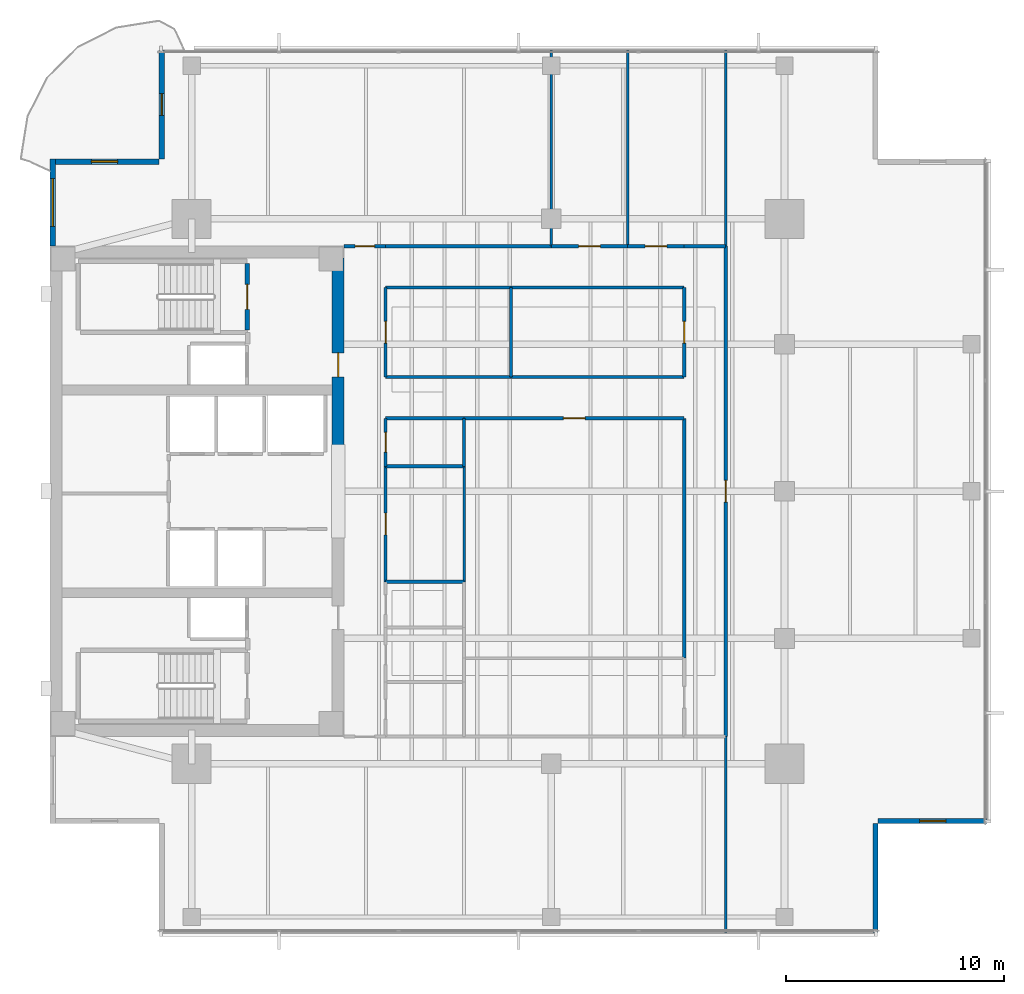
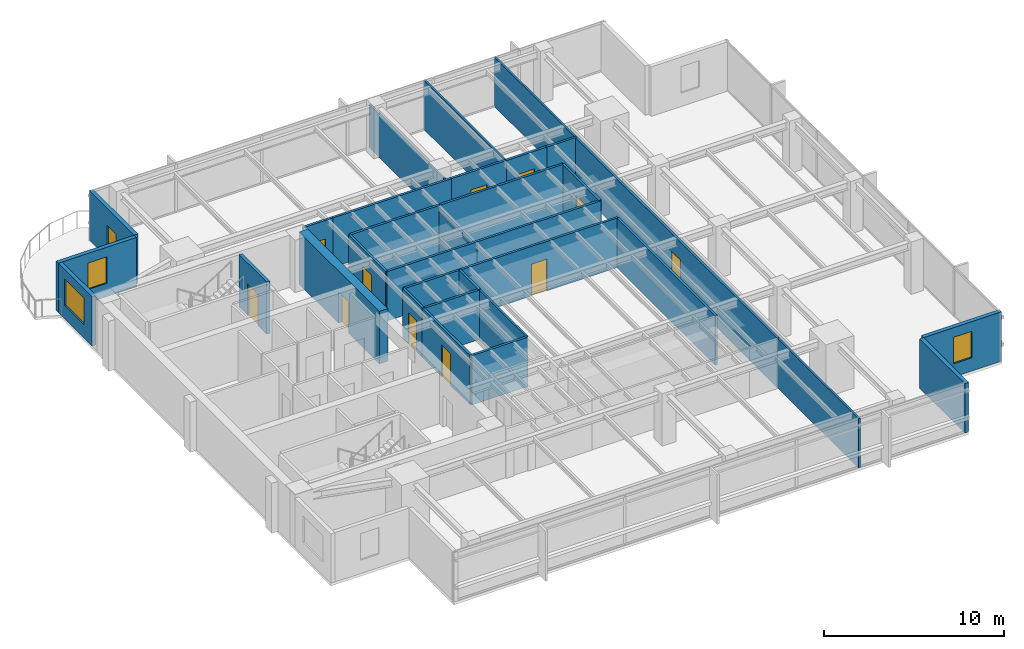
# One storey, part 9 of 15: 33 walls, 12 doors, 3 windows, 15 openings.
"""IFC4 building model written with IfcOpenShell, lengths in metres."""

from ifc_helpers import new_model, si_unit, direction, frame, frame_2d, origin, place, context, subcontext, project, spatial, rectangle, extrude, material, layer, layer_set, type_object, element, fill, save


model = new_model("IFC4")

# Units and contexts
model_context = context("Model", 3, precision=1e-05, world=origin(), true_north=direction((0.0, 1.0)))
body_context = subcontext(model_context, "Body", "Model", "MODEL_VIEW")
ifc_project = project(units=[si_unit("LENGTHUNIT", "METRE"), si_unit("AREAUNIT", "SQUARE_METRE"), si_unit("VOLUMEUNIT", "CUBIC_METRE"), si_unit("PLANEANGLEUNIT", "RADIAN"), si_unit("MASSUNIT", "GRAM", prefix="KILO")], contexts=[model_context])

# Site, building, storey
site_placement = place(None, origin())
site = spatial("IfcSite", under=ifc_project, at=site_placement, CompositionType="ELEMENT")
building_placement = place(site_placement, origin())
building = spatial("IfcBuilding", under=site, at=building_placement, Name="Kinhvarn Gate Tower", CompositionType="ELEMENT")
storey_placement = place(building_placement, frame((0.0, 0.0, 237.75)))
storey = spatial("IfcBuildingStorey", under=building, at=storey_placement, Name="L63", CompositionType="ELEMENT", Elevation=237.75)

# Wall, opening, door
ifc_material_1 = material(Name="Concrete C60/75", Category="concrete")
ifc_layer_1 = layer(ifc_material_1, 0.550048828125)
ifc_layer_set_1 = layer_set([ifc_layer_1], Name="Concrete C60/75")
wall_type_1 = type_object("IfcWallType", Name="WL-CORE-550", PredefinedType="SHEAR", material=ifc_layer_set_1)
wall_1_placement = place(storey_placement, frame((17.72509765625, 27.050048828125, 0.0), z_axis=(0.0, 0.0, 1.0), x_axis=(0.0, 1.0, 0.0)))
wall_1 = element("IfcWall", 1, at=wall_1_placement, inside=storey, type_object=wall_type_1, Name="Core East-North Shear Pier L63 550 mm", PredefinedType="SHEAR", context=body_context, shape_type="SweptSolid", body=[
    extrude(rectangle(XDim=8.89990234375, YDim=0.550048828125, at=frame_2d((4.449951171875, 0.0))), origin(), (0.0, 0.0, 1.0), 3.550048828125),
])
opening_1_placement = place(wall_1_placement, frame((3.449951171875, 0.0, 0.0)))
opening_1 = element("IfcOpeningElement", 2, at=opening_1_placement, cuts=wall_1, Name="Opening FD-02", PredefinedType="OPENING", context=body_context, shape_type="SweptSolid", body=[
    extrude(rectangle(XDim=1.10009765625, YDim=2.14990234375, at=frame_2d((0.550048828125, 1.074951171875))), frame((0.0, 0.28515625, 0.0), z_axis=(0.0, -1.0, 0.0), x_axis=(1.0, 0.0, 0.0)), (0.0, 0.0, 1.0), 0.570068359375),
])
ifc_material_2 = material(Name="Anodised aluminium AW-6063", Category="aluminium")
door_type_1 = type_object("IfcDoorType", Name="DR-FD-1100", OperationType="NOTDEFINED", PredefinedType="DOOR", material=ifc_material_2)
door_1_placement = place(opening_1_placement, origin())
door_1 = element("IfcDoor", 3, at=door_1_placement, inside=storey, type_object=door_type_1, Name="Firefighting Lobby Core Door (L63)", OperationType="SINGLE_SWING_LEFT", OverallHeight=2.14990234375, OverallWidth=1.10009765625, PredefinedType="DOOR", context=body_context, shape_type="SweptSolid", body=[
    extrude(rectangle(XDim=1.10009765625, YDim=2.14990234375, at=frame_2d((0.550048828125, 1.074951171875))), frame((0.0, 0.02490234375, 0.0), z_axis=(0.0, -1.0, 0.0), x_axis=(1.0, 0.0, 0.0)), (0.0, 0.0, 1.0), 0.050048828125),
])
fill(opening_1, door_1)

# Wall, opening, window
ifc_material_3 = material(Name="Fired architectural terracotta", Category="masonry")
ifc_layer_2 = layer(ifc_material_3, 0.25)
ifc_layer_set_2 = layer_set([ifc_layer_2], Name="Fired architectural terracotta")
wall_type_2 = type_object("IfcWallType", Name="WL-EXT-250", PredefinedType="SOLIDWALL", material=ifc_layer_set_2)
wall_2_placement = place(storey_placement, frame((4.625, 40.5, 0.0), z_axis=(0.0, 0.0, 1.0), x_axis=(0.0, -1.0, 0.0)))
wall_2 = element("IfcWall", 4, at=wall_2_placement, inside=storey, type_object=wall_type_2, Name="Exterior Solidwall Wall EW-250 (L63 West-North)", PredefinedType="SOLIDWALL", context=body_context, shape_type="SweptSolid", body=[
    extrude(rectangle(XDim=4.0, YDim=0.25, at=frame_2d((2.0, 0.0))), origin(), (0.0, 0.0, 1.0), 3.35009765625),
])
opening_2_placement = place(wall_2_placement, frame((0.89990234375, 0.0, 0.89990234375)))
opening_2 = element("IfcOpeningElement", 5, at=opening_2_placement, cuts=wall_2, Name="Opening WN-01", PredefinedType="OPENING", context=body_context, shape_type="SweptSolid", body=[
    extrude(rectangle(XDim=2.199951171875, YDim=1.800048828125, at=frame_2d((1.10009765625, 0.89990234375))), frame((0.0, 0.135009765625, 0.0), z_axis=(0.0, -1.0, 0.0), x_axis=(1.0, 0.0, 0.0)), (0.0, 0.0, 1.0), 0.27001953125),
])
ifc_material_4 = material(Name="Clear low-e double glazing", Category="glass")
window_type_1 = type_object("IfcWindowType", Name="WIN-RIB-2200", PartitioningType="SINGLE_PANEL", PredefinedType="WINDOW", material=ifc_material_4)
window_1_placement = place(opening_2_placement, origin())
window_1 = element("IfcWindow", 6, at=window_1_placement, inside=storey, type_object=window_type_1, Name="West Flank Double-Glazed Ribbon Window 2200x1800 mm (L63)", OverallHeight=1.800048828125, OverallWidth=2.199951171875, PartitioningType="SINGLE_PANEL", PredefinedType="WINDOW", context=body_context, shape_type="SweptSolid", body=[
    extrude(rectangle(XDim=2.199951171875, YDim=1.800048828125, at=frame_2d((1.10009765625, 0.89990234375))), frame((0.0, 0.030029296875, 0.0), z_axis=(0.0, -1.0, 0.0), x_axis=(1.0, 0.0, 0.0)), (0.0, 0.0, 1.0), 0.06005859375),
])
fill(opening_2, window_1)

# Wall
wall_3_placement = place(storey_placement, frame((42.375, 5.0, 0.0), z_axis=(0.0, 0.0, 1.0), x_axis=(0.0, 1.0, 0.0)))
element("IfcWall", 7, at=wall_3_placement, inside=storey, type_object=wall_type_2, Name="Exterior Solidwall Wall EW-250 (L63 SE-Notch-1)", PredefinedType="SOLIDWALL", context=body_context, shape_type="SweptSolid", body=[
    extrude(rectangle(XDim=5.0, YDim=0.25, at=frame_2d((2.5, 0.0))), origin(), (0.0, 0.0, 1.0), 3.35009765625),
])

# Wall, opening, window
wall_4_placement = place(storey_placement, frame((42.5, 10.125, 0.0), z_axis=(0.0, 0.0, 1.0), x_axis=(1.0, 0.0, 0.0)))
wall_4 = element("IfcWall", 8, at=wall_4_placement, inside=storey, type_object=wall_type_2, Name="Exterior Solidwall Wall EW-250 (L63 SE-Notch-2)", PredefinedType="SOLIDWALL", context=body_context, shape_type="SweptSolid", body=[
    extrude(rectangle(XDim=5.0, YDim=0.25, at=frame_2d((2.5, 0.0))), origin(), (0.0, 0.0, 1.0), 3.35009765625),
])
opening_3_placement = place(wall_4_placement, frame((1.89990234375, 0.0, 0.89990234375)))
opening_3 = element("IfcOpeningElement", 9, at=opening_3_placement, cuts=wall_4, Name="Opening WN-02", PredefinedType="OPENING", context=body_context, shape_type="SweptSolid", body=[
    extrude(rectangle(XDim=1.199951171875, YDim=1.800048828125, at=frame_2d((0.60009765625, 0.89990234375))), frame((0.0, 0.135009765625, 0.0), z_axis=(0.0, -1.0, 0.0), x_axis=(1.0, 0.0, 0.0)), (0.0, 0.0, 1.0), 0.27001953125),
])
window_type_2 = type_object("IfcWindowType", Name="WIN-NTC-1200", PartitioningType="SINGLE_PANEL", PredefinedType="WINDOW", material=ifc_material_4)
window_2_placement = place(opening_3_placement, origin())
window_2 = element("IfcWindow", 10, at=window_2_placement, inside=storey, type_object=window_type_2, Name="Recessed Corner Notch Punched Window 1200x1800 mm (L63)", OverallHeight=1.800048828125, OverallWidth=1.199951171875, PartitioningType="SINGLE_PANEL", PredefinedType="WINDOW", context=body_context, shape_type="SweptSolid", body=[
    extrude(rectangle(XDim=1.199951171875, YDim=1.800048828125, at=frame_2d((0.60009765625, 0.89990234375))), frame((0.0, 0.030029296875, 0.0), z_axis=(0.0, -1.0, 0.0), x_axis=(1.0, 0.0, 0.0)), (0.0, 0.0, 1.0), 0.06005859375),
])
fill(opening_3, window_2)

# Wall, opening, door
wall_5_placement = place(storey_placement, frame((9.625, 45.5, 0.0), z_axis=(0.0, 0.0, 1.0), x_axis=(0.0, -1.0, 0.0)))
wall_5 = element("IfcWall", 11, at=wall_5_placement, inside=storey, type_object=wall_type_2, Name="Exterior Solidwall Wall EW-250 (L63 NW-Notch-Door)", PredefinedType="SOLIDWALL", context=body_context, shape_type="SweptSolid", body=[
    extrude(rectangle(XDim=5.0, YDim=0.25, at=frame_2d((2.5, 0.0))), origin(), (0.0, 0.0, 1.0), 3.35009765625),
])
opening_4_placement = place(wall_5_placement, frame((2.0, 0.0, 0.0)))
opening_4 = element("IfcOpeningElement", 12, at=opening_4_placement, cuts=wall_5, Name="Opening BD-01", PredefinedType="OPENING", context=body_context, shape_type="SweptSolid", body=[
    extrude(rectangle(XDim=1.0, YDim=2.199951171875, at=frame_2d((0.5, 1.10009765625))), frame((0.0, 0.135009765625, 0.0), z_axis=(0.0, -1.0, 0.0), x_axis=(1.0, 0.0, 0.0)), (0.0, 0.0, 1.0), 0.27001953125),
])
door_type_2 = type_object("IfcDoorType", Name="DR-BAL-1000", OperationType="NOTDEFINED", PredefinedType="DOOR", material=ifc_material_4)
door_2_placement = place(opening_4_placement, frame((1.0, 0.0, 0.0), z_axis=(0.0, 0.0, 1.0), x_axis=(-1.0, 0.0, 0.0)))
door_2 = element("IfcDoor", 13, at=door_2_placement, inside=storey, type_object=door_type_2, Name="S-Carve Balcony Door BD-01 (L63)", OperationType="SINGLE_SWING_RIGHT", OverallHeight=2.199951171875, OverallWidth=1.0, PredefinedType="DOOR", context=body_context, shape_type="SweptSolid", body=[
    extrude(rectangle(XDim=1.0, YDim=2.199951171875, at=frame_2d((0.5, 1.10009765625))), frame((0.0, 0.02490234375, 0.0), z_axis=(0.0, -1.0, 0.0), x_axis=(1.0, 0.0, 0.0)), (0.0, 0.0, 1.0), 0.050048828125),
])
fill(opening_4, door_2)

# Wall, opening, window
wall_6_placement = place(storey_placement, frame((9.5, 40.375, 0.0), z_axis=(0.0, 0.0, 1.0), x_axis=(-1.0, 0.0, 0.0)))
wall_6 = element("IfcWall", 14, at=wall_6_placement, inside=storey, type_object=wall_type_2, Name="Exterior Solidwall Wall EW-250 (L63 NW-Notch-Win)", PredefinedType="SOLIDWALL", context=body_context, shape_type="SweptSolid", body=[
    extrude(rectangle(XDim=5.0, YDim=0.25, at=frame_2d((2.5, 0.0))), origin(), (0.0, 0.0, 1.0), 3.35009765625),
])
opening_5_placement = place(wall_6_placement, frame((1.89990234375, 0.0, 0.89990234375)))
opening_5 = element("IfcOpeningElement", 15, at=opening_5_placement, cuts=wall_6, Name="Opening WN-02", PredefinedType="OPENING", context=body_context, shape_type="SweptSolid", body=[
    extrude(rectangle(XDim=1.199951171875, YDim=1.800048828125, at=frame_2d((0.60009765625, 0.89990234375))), frame((0.0, 0.135009765625, 0.0), z_axis=(0.0, -1.0, 0.0), x_axis=(1.0, 0.0, 0.0)), (0.0, 0.0, 1.0), 0.27001953125),
])
window_3_placement = place(opening_5_placement, origin())
window_3 = element("IfcWindow", 16, at=window_3_placement, inside=storey, type_object=window_type_2, Name="Recessed Corner Notch Punched Window 1200x1800 mm (L63)", OverallHeight=1.800048828125, OverallWidth=1.199951171875, PartitioningType="SINGLE_PANEL", PredefinedType="WINDOW", context=body_context, shape_type="SweptSolid", body=[
    extrude(rectangle(XDim=1.199951171875, YDim=1.800048828125, at=frame_2d((0.60009765625, 0.89990234375))), frame((0.0, 0.030029296875, 0.0), z_axis=(0.0, -1.0, 0.0), x_axis=(1.0, 0.0, 0.0)), (0.0, 0.0, 1.0), 0.06005859375),
])
fill(opening_5, window_3)

# Walls
ifc_material_5 = material(Name="Gypsum acoustic partition board")
ifc_layer_3 = layer(ifc_material_5, 0.14990234375)
ifc_layer_set_3 = layer_set([ifc_layer_3], Name="Gypsum acoustic partition board")
wall_type_3 = type_object("IfcWallType", Name="WL-PLM-150", PredefinedType="PLUMBINGWALL", material=ifc_layer_set_3)
for number, where, z_axis, x_axis, name in (
    (17, (19.89990234375, 21.10009765625, 0.0), (0.0, 0.0, 1.0), (1.0, 0.0, 0.0), "Interior Partition PLW-150 (L63)"),
    (18, (19.89990234375, 26.39990234375, 0.0), (0.0, 0.0, 1.0), (1.0, 0.0, 0.0), "Interior Partition PLW-150 (L63)"),
):
    element("IfcWall", number, at=place(storey_placement, frame(where, z_axis=z_axis, x_axis=x_axis)), inside=storey, type_object=wall_type_3, Name=name, PredefinedType="PLUMBINGWALL", context=body_context, shape_type="SweptSolid", body=[
        extrude(rectangle(XDim=3.60009765625, YDim=0.14990234375, at=frame_2d((1.800048828125, 0.0))), origin(), (0.0, 0.0, 1.0), 3.35009765625),
    ])
wall_7_placement = place(storey_placement, frame((23.5, 26.39990234375, 0.0), z_axis=(0.0, 0.0, 1.0), x_axis=(0.0, 1.0, 0.0)))
element("IfcWall", 19, at=wall_7_placement, inside=storey, type_object=wall_type_3, Name="Interior Partition PLW-150 (L63)", PredefinedType="PLUMBINGWALL", context=body_context, shape_type="SweptSolid", body=[
    extrude(rectangle(XDim=2.2001953125, YDim=0.14990234375, at=frame_2d((1.10009765625, 0.0))), origin(), (0.0, 0.0, 1.0), 3.35009765625),
])

# Wall, opening, door
ifc_layer_4 = layer(ifc_material_5, 0.14990234375)
ifc_layer_set_4 = layer_set([ifc_layer_4], Name="Gypsum acoustic partition board")
wall_type_4 = type_object("IfcWallType", Name="WL-PLM-150F", PredefinedType="PLUMBINGWALL", material=ifc_layer_set_4)
wall_8_placement = place(storey_placement, frame((19.89990234375, 26.39990234375, 0.0), z_axis=(0.0, 0.0, 1.0), x_axis=(0.0, 1.0, 0.0)))
wall_8 = element("IfcWall", 20, at=wall_8_placement, inside=storey, type_object=wall_type_4, Name="Interior Partition PLW-150F (L63)", PredefinedType="PLUMBINGWALL", context=body_context, shape_type="SweptSolid", body=[
    extrude(rectangle(XDim=2.2001953125, YDim=0.14990234375, at=frame_2d((1.10009765625, 0.0))), origin(), (0.0, 0.0, 1.0), 3.35009765625),
])
opening_6_placement = place(wall_8_placement, frame((0.64990234375, 0.0, 0.0)))
opening_6 = element("IfcOpeningElement", 21, at=opening_6_placement, cuts=wall_8, Name="Opening FD-04", PredefinedType="OPENING", context=body_context, shape_type="SweptSolid", body=[
    extrude(rectangle(XDim=0.89990234375, YDim=2.10009765625, at=frame_2d((0.449951171875, 1.050048828125))), frame((0.0, 0.0849609375, 0.0), z_axis=(0.0, -1.0, 0.0), x_axis=(1.0, 0.0, 0.0)), (0.0, 0.0, 1.0), 0.169921875),
])
door_type_3 = type_object("IfcDoorType", Name="DR-FD-900", OperationType="NOTDEFINED", PredefinedType="DOOR", material=ifc_material_2)
door_3_placement = place(opening_6_placement, origin())
door_3 = element("IfcDoor", 22, at=door_3_placement, inside=storey, type_object=door_type_3, Name="Rated Riser & Service Closet Fire Door 900x2100 mm (L63)", OperationType="SINGLE_SWING_RIGHT", OverallHeight=2.10009765625, OverallWidth=0.89990234375, PredefinedType="DOOR", context=body_context, shape_type="SweptSolid", body=[
    extrude(rectangle(XDim=0.89990234375, YDim=2.10009765625, at=frame_2d((0.449951171875, 1.050048828125))), frame((0.0, 0.02490234375, 0.0), z_axis=(0.0, -1.0, 0.0), x_axis=(1.0, 0.0, 0.0)), (0.0, 0.0, 1.0), 0.050048828125),
])
fill(opening_6, door_3)

# Walls
wall_9_placement = place(storey_placement, frame((19.89990234375, 28.60009765625, 0.0), z_axis=(0.0, 0.0, 1.0), x_axis=(1.0, 0.0, 0.0)))
element("IfcWall", 23, at=wall_9_placement, inside=storey, type_object=wall_type_4, Name="Interior Partition PLW-150F (L63)", PredefinedType="PLUMBINGWALL", context=body_context, shape_type="SweptSolid", body=[
    extrude(rectangle(XDim=3.60009765625, YDim=0.14990234375, at=frame_2d((1.800048828125, 0.0))), origin(), (0.0, 0.0, 1.0), 3.35009765625),
])
ifc_layer_5 = layer(ifc_material_5, 0.1201171875)
ifc_layer_set_5 = layer_set([ifc_layer_5], Name="Gypsum acoustic partition board")
wall_type_5 = type_object("IfcWallType", Name="WL-PRT-120", PredefinedType="PARTITIONING", material=ifc_layer_set_5)
wall_10_placement = place(storey_placement, frame((25.64990234375, 30.5, 0.0), z_axis=(0.0, 0.0, 1.0), x_axis=(0.0, 1.0, 0.0)))
element("IfcWall", 24, at=wall_10_placement, inside=storey, type_object=wall_type_5, Name="Interior Partition PW-120 (L63)", PredefinedType="PARTITIONING", context=body_context, shape_type="SweptSolid", body=[
    extrude(rectangle(XDim=4.10009765625, YDim=0.1201171875, at=frame_2d((2.050048828125, 0.0))), origin(), (0.0, 0.0, 1.0), 3.050048828125),
])
wall_11_placement = place(storey_placement, frame((23.5, 21.10009765625, 0.0), z_axis=(0.0, 0.0, 1.0), x_axis=(0.0, 1.0, 0.0)))
element("IfcWall", 25, at=wall_11_placement, inside=storey, type_object=wall_type_5, Name="Interior Partition PW-120 (L63)", PredefinedType="PARTITIONING", context=body_context, shape_type="SweptSolid", body=[
    extrude(rectangle(XDim=5.2998046875, YDim=0.1201171875, at=frame_2d((2.64990234375, 0.0))), origin(), (0.0, 0.0, 1.0), 3.35009765625),
])
wall_12_placement = place(storey_placement, frame((35.5, 5.010009765625, 0.0), z_axis=(0.0, 0.0, 1.0), x_axis=(0.0, 1.0, 0.0)))
element("IfcWall", 26, at=wall_12_placement, inside=storey, type_object=wall_type_5, Name="Interior Partition PW-120 (L63)", PredefinedType="PARTITIONING", context=body_context, shape_type="SweptSolid", body=[
    extrude(rectangle(XDim=8.989990234375, YDim=0.1201171875, at=frame_2d((4.4951171875, 0.0))), origin(), (0.0, 0.0, 1.0), 3.35009765625),
])
wall_13_placement = place(storey_placement, frame((27.5, 36.5, 0.0), z_axis=(0.0, 0.0, 1.0), x_axis=(0.0, 1.0, 0.0)))
element("IfcWall", 27, at=wall_13_placement, inside=storey, type_object=wall_type_5, Name="Interior Partition PW-120 (L63)", PredefinedType="PARTITIONING", context=body_context, shape_type="SweptSolid", body=[
    extrude(rectangle(XDim=8.989990234375, YDim=0.1201171875, at=frame_2d((4.4951171875, 0.0))), origin(), (0.0, 0.0, 1.0), 2.89990234375),
])
for number, where, z_axis, x_axis, name in (
    (28, (31.0, 36.5, 0.0), (0.0, 0.0, 1.0), (0.0, 1.0, 0.0), "Interior Partition PW-120 (L63)"),
    (29, (35.5, 36.5, 0.0), (0.0, 0.0, 1.0), (0.0, 1.0, 0.0), "Interior Partition PW-120 (L63)"),
):
    element("IfcWall", number, at=place(storey_placement, frame(where, z_axis=z_axis, x_axis=x_axis)), inside=storey, type_object=wall_type_5, Name=name, PredefinedType="PARTITIONING", context=body_context, shape_type="SweptSolid", body=[
        extrude(rectangle(XDim=8.989990234375, YDim=0.1201171875, at=frame_2d((4.4951171875, 0.0))), origin(), (0.0, 0.0, 1.0), 3.35009765625),
    ])

# Wall, opening, door
ifc_layer_6 = layer(ifc_material_5, 0.14990234375)
ifc_layer_set_6 = layer_set([ifc_layer_6], Name="Gypsum acoustic partition board")
wall_type_6 = type_object("IfcWallType", Name="WL-PRT-150F", PredefinedType="PARTITIONING", material=ifc_layer_set_6)
wall_14_placement = place(storey_placement, frame((19.89990234375, 30.5, 0.0), z_axis=(0.0, 0.0, 1.0), x_axis=(0.0, 1.0, 0.0)))
wall_14 = element("IfcWall", 30, at=wall_14_placement, inside=storey, type_object=wall_type_6, Name="Interior Partition PW-150F (L63)", PredefinedType="PARTITIONING", context=body_context, shape_type="SweptSolid", body=[
    extrude(rectangle(XDim=4.10009765625, YDim=0.14990234375, at=frame_2d((2.050048828125, 0.0))), origin(), (0.0, 0.0, 1.0), 3.35009765625),
])
opening_7_placement = place(wall_14_placement, frame((1.550048828125, 0.0, 0.0)))
opening_7 = element("IfcOpeningElement", 31, at=opening_7_placement, cuts=wall_14, Name="Opening ID-02", PredefinedType="OPENING", context=body_context, shape_type="SweptSolid", body=[
    extrude(rectangle(XDim=1.0, YDim=2.14990234375, at=frame_2d((0.5, 1.074951171875))), frame((0.0, 0.0849609375, 0.0), z_axis=(0.0, -1.0, 0.0), x_axis=(1.0, 0.0, 0.0)), (0.0, 0.0, 1.0), 0.169921875),
])
door_type_4 = type_object("IfcDoorType", Name="DR-INT-1000", OperationType="NOTDEFINED", PredefinedType="DOOR", material=ifc_material_2)
door_4_placement = place(opening_7_placement, origin())
door_4 = element("IfcDoor", 32, at=door_4_placement, inside=storey, type_object=door_type_4, Name="Standard Office & Meeting Room Door 1000x2150 mm (L63)", OperationType="SINGLE_SWING_RIGHT", OverallHeight=2.14990234375, OverallWidth=1.0, PredefinedType="DOOR", context=body_context, shape_type="SweptSolid", body=[
    extrude(rectangle(XDim=1.0, YDim=2.14990234375, at=frame_2d((0.5, 1.074951171875))), frame((0.0, 0.02490234375, 0.0), z_axis=(0.0, -1.0, 0.0), x_axis=(1.0, 0.0, 0.0)), (0.0, 0.0, 1.0), 0.050048828125),
])
fill(opening_7, door_4)

wall_15_placement = place(storey_placement, frame((19.89990234375, 21.10009765625, 0.0), z_axis=(0.0, 0.0, 1.0), x_axis=(0.0, 1.0, 0.0)))
wall_15 = element("IfcWall", 33, at=wall_15_placement, inside=storey, type_object=wall_type_6, Name="Interior Partition PW-150F (L63)", PredefinedType="PARTITIONING", context=body_context, shape_type="SweptSolid", body=[
    extrude(rectangle(XDim=5.2998046875, YDim=0.14990234375, at=frame_2d((2.64990234375, 0.0))), origin(), (0.0, 0.0, 1.0), 3.35009765625),
])
opening_8_placement = place(wall_15_placement, frame((2.14990234375, 0.0, 0.0)))
opening_8 = element("IfcOpeningElement", 34, at=opening_8_placement, cuts=wall_15, Name="Opening ID-02", PredefinedType="OPENING", context=body_context, shape_type="SweptSolid", body=[
    extrude(rectangle(XDim=1.0, YDim=2.14990234375, at=frame_2d((0.5, 1.074951171875))), frame((0.0, 0.0849609375, 0.0), z_axis=(0.0, -1.0, 0.0), x_axis=(1.0, 0.0, 0.0)), (0.0, 0.0, 1.0), 0.169921875),
])
door_5_placement = place(opening_8_placement, origin())
door_5 = element("IfcDoor", 35, at=door_5_placement, inside=storey, type_object=door_type_4, Name="Standard Office & Meeting Room Door 1000x2150 mm (L63)", OperationType="SINGLE_SWING_LEFT", OverallHeight=2.14990234375, OverallWidth=1.0, PredefinedType="DOOR", context=body_context, shape_type="SweptSolid", body=[
    extrude(rectangle(XDim=1.0, YDim=2.14990234375, at=frame_2d((0.5, 1.074951171875))), frame((0.0, 0.02490234375, 0.0), z_axis=(0.0, -1.0, 0.0), x_axis=(1.0, 0.0, 0.0)), (0.0, 0.0, 1.0), 0.050048828125),
])
fill(opening_8, door_5)

wall_16_placement = place(storey_placement, frame((18.0, 36.5, 0.0), z_axis=(0.0, 0.0, 1.0), x_axis=(1.0, 0.0, 0.0)))
wall_16 = element("IfcWall", 36, at=wall_16_placement, inside=storey, type_object=wall_type_6, Name="Interior Partition PW-150F (L63)", PredefinedType="PARTITIONING", context=body_context, shape_type="SweptSolid", body=[
    extrude(rectangle(XDim=1.89990234375, YDim=0.14990234375, at=frame_2d((0.949951171875, 0.0))), origin(), (0.0, 0.0, 1.0), 3.35009765625),
])
opening_9_placement = place(wall_16_placement, frame((0.5, 0.0, 0.0)))
opening_9 = element("IfcOpeningElement", 37, at=opening_9_placement, cuts=wall_16, Name="Opening ID-03", PredefinedType="OPENING", context=body_context, shape_type="SweptSolid", body=[
    extrude(rectangle(XDim=0.89990234375, YDim=2.10009765625, at=frame_2d((0.449951171875, 1.050048828125))), frame((0.0, 0.0849609375, 0.0), z_axis=(0.0, -1.0, 0.0), x_axis=(1.0, 0.0, 0.0)), (0.0, 0.0, 1.0), 0.169921875),
])
door_type_5 = type_object("IfcDoorType", Name="DR-INT-900", OperationType="NOTDEFINED", PredefinedType="DOOR", material=ifc_material_2)
door_6_placement = place(opening_9_placement, origin())
door_6 = element("IfcDoor", 38, at=door_6_placement, inside=storey, type_object=door_type_5, Name="Cellular Office & Restroom Door 900x2100 mm (L63)", OperationType="SINGLE_SWING_LEFT", OverallHeight=2.10009765625, OverallWidth=0.89990234375, PredefinedType="DOOR", context=body_context, shape_type="SweptSolid", body=[
    extrude(rectangle(XDim=0.89990234375, YDim=2.10009765625, at=frame_2d((0.449951171875, 1.050048828125))), frame((0.0, 0.02490234375, 0.0), z_axis=(0.0, -1.0, 0.0), x_axis=(1.0, 0.0, 0.0)), (0.0, 0.0, 1.0), 0.050048828125),
])
fill(opening_9, door_6)

# Walls
wall_17_placement = place(storey_placement, frame((19.89990234375, 30.5, 0.0), z_axis=(0.0, 0.0, 1.0), x_axis=(1.0, 0.0, 0.0)))
element("IfcWall", 39, at=wall_17_placement, inside=storey, type_object=wall_type_6, Name="Interior Partition PW-150F (L63)", PredefinedType="PARTITIONING", context=body_context, shape_type="SweptSolid", body=[
    extrude(rectangle(XDim=5.75, YDim=0.14990234375, at=frame_2d((2.875, 0.0))), origin(), (0.0, 0.0, 1.0), 3.35009765625),
])
wall_18_placement = place(storey_placement, frame((25.64990234375, 30.5, 0.0), z_axis=(0.0, 0.0, 1.0), x_axis=(1.0, 0.0, 0.0)))
element("IfcWall", 40, at=wall_18_placement, inside=storey, type_object=wall_type_6, Name="Interior Partition PW-150F (L63)", PredefinedType="PARTITIONING", context=body_context, shape_type="SweptSolid", body=[
    extrude(rectangle(XDim=7.9501953125, YDim=0.14990234375, at=frame_2d((3.97509765625, 0.0))), origin(), (0.0, 0.0, 1.0), 3.35009765625),
])

# Wall, opening, door
wall_19_placement = place(storey_placement, frame((23.5, 28.60009765625, 0.0), z_axis=(0.0, 0.0, 1.0), x_axis=(1.0, 0.0, 0.0)))
wall_19 = element("IfcWall", 41, at=wall_19_placement, inside=storey, type_object=wall_type_6, Name="Interior Partition PW-150F (L63)", PredefinedType="PARTITIONING", context=body_context, shape_type="SweptSolid", body=[
    extrude(rectangle(XDim=10.10009765625, YDim=0.14990234375, at=frame_2d((5.050048828125, 0.0))), origin(), (0.0, 0.0, 1.0), 3.35009765625),
])
opening_10_placement = place(wall_19_placement, frame((4.550048828125, 0.0, 0.0)))
opening_10 = element("IfcOpeningElement", 42, at=opening_10_placement, cuts=wall_19, Name="Opening ID-02", PredefinedType="OPENING", context=body_context, shape_type="SweptSolid", body=[
    extrude(rectangle(XDim=1.0, YDim=2.14990234375, at=frame_2d((0.5, 1.074951171875))), frame((0.0, 0.0849609375, 0.0), z_axis=(0.0, -1.0, 0.0), x_axis=(1.0, 0.0, 0.0)), (0.0, 0.0, 1.0), 0.169921875),
])
door_7_placement = place(opening_10_placement, origin())
door_7 = element("IfcDoor", 43, at=door_7_placement, inside=storey, type_object=door_type_4, Name="Standard Office & Meeting Room Door 1000x2150 mm (L63)", OperationType="SINGLE_SWING_RIGHT", OverallHeight=2.14990234375, OverallWidth=1.0, PredefinedType="DOOR", context=body_context, shape_type="SweptSolid", body=[
    extrude(rectangle(XDim=1.0, YDim=2.14990234375, at=frame_2d((0.5, 1.074951171875))), frame((0.0, 0.02490234375, 0.0), z_axis=(0.0, -1.0, 0.0), x_axis=(1.0, 0.0, 0.0)), (0.0, 0.0, 1.0), 0.050048828125),
])
fill(opening_10, door_7)

wall_20_placement = place(storey_placement, frame((33.60009765625, 30.5, 0.0), z_axis=(0.0, 0.0, 1.0), x_axis=(0.0, 1.0, 0.0)))
wall_20 = element("IfcWall", 44, at=wall_20_placement, inside=storey, type_object=wall_type_6, Name="Interior Partition PW-150F (L63)", PredefinedType="PARTITIONING", context=body_context, shape_type="SweptSolid", body=[
    extrude(rectangle(XDim=4.10009765625, YDim=0.14990234375, at=frame_2d((2.050048828125, 0.0))), origin(), (0.0, 0.0, 1.0), 3.35009765625),
])
opening_11_placement = place(wall_20_placement, frame((1.550048828125, 0.0, 0.0)))
opening_11 = element("IfcOpeningElement", 45, at=opening_11_placement, cuts=wall_20, Name="Opening ID-02", PredefinedType="OPENING", context=body_context, shape_type="SweptSolid", body=[
    extrude(rectangle(XDim=1.0, YDim=2.14990234375, at=frame_2d((0.5, 1.074951171875))), frame((0.0, 0.0849609375, 0.0), z_axis=(0.0, -1.0, 0.0), x_axis=(1.0, 0.0, 0.0)), (0.0, 0.0, 1.0), 0.169921875),
])
door_8_placement = place(opening_11_placement, origin())
door_8 = element("IfcDoor", 46, at=door_8_placement, inside=storey, type_object=door_type_4, Name="Standard Office & Meeting Room Door 1000x2150 mm (L63)", OperationType="SINGLE_SWING_LEFT", OverallHeight=2.14990234375, OverallWidth=1.0, PredefinedType="DOOR", context=body_context, shape_type="SweptSolid", body=[
    extrude(rectangle(XDim=1.0, YDim=2.14990234375, at=frame_2d((0.5, 1.074951171875))), frame((0.0, 0.02490234375, 0.0), z_axis=(0.0, -1.0, 0.0), x_axis=(1.0, 0.0, 0.0)), (0.0, 0.0, 1.0), 0.050048828125),
])
fill(opening_11, door_8)

# Walls
wall_21_placement = place(storey_placement, frame((33.60009765625, 17.60009765625, 0.0), z_axis=(0.0, 0.0, 1.0), x_axis=(0.0, 1.0, 0.0)))
element("IfcWall", 47, at=wall_21_placement, inside=storey, type_object=wall_type_6, Name="Interior Partition PW-150F (L63)", PredefinedType="PARTITIONING", context=body_context, shape_type="SweptSolid", body=[
    extrude(rectangle(XDim=11.0, YDim=0.14990234375, at=frame_2d((5.5, 0.0))), origin(), (0.0, 0.0, 1.0), 3.35009765625),
])
wall_22_placement = place(storey_placement, frame((33.60009765625, 36.5, 0.0), z_axis=(0.0, 0.0, 1.0), x_axis=(1.0, 0.0, 0.0)))
element("IfcWall", 48, at=wall_22_placement, inside=storey, type_object=wall_type_6, Name="Interior Partition PW-150F (L63)", PredefinedType="PARTITIONING", context=body_context, shape_type="SweptSolid", body=[
    extrude(rectangle(XDim=1.89990234375, YDim=0.14990234375, at=frame_2d((0.949951171875, 0.0))), origin(), (0.0, 0.0, 1.0), 3.35009765625),
])

# Wall, opening, door
wall_23_placement = place(storey_placement, frame((35.5, 14.0, 0.0), z_axis=(0.0, 0.0, 1.0), x_axis=(0.0, 1.0, 0.0)))
wall_23 = element("IfcWall", 49, at=wall_23_placement, inside=storey, type_object=wall_type_6, Name="Interior Partition PW-150F (L63)", PredefinedType="PARTITIONING", context=body_context, shape_type="SweptSolid", body=[
    extrude(rectangle(XDim=22.5, YDim=0.14990234375, at=frame_2d((11.25, 0.0))), origin(), (0.0, 0.0, 1.0), 3.35009765625),
])
opening_12_placement = place(wall_23_placement, frame((10.75, 0.0, 0.0)))
opening_12 = element("IfcOpeningElement", 50, at=opening_12_placement, cuts=wall_23, Name="Opening ID-02", PredefinedType="OPENING", context=body_context, shape_type="SweptSolid", body=[
    extrude(rectangle(XDim=1.0, YDim=2.14990234375, at=frame_2d((0.5, 1.074951171875))), frame((0.0, 0.0849609375, 0.0), z_axis=(0.0, -1.0, 0.0), x_axis=(1.0, 0.0, 0.0)), (0.0, 0.0, 1.0), 0.169921875),
])
door_9_placement = place(opening_12_placement, origin())
door_9 = element("IfcDoor", 51, at=door_9_placement, inside=storey, type_object=door_type_4, Name="Standard Office & Meeting Room Door 1000x2150 mm (L63)", OperationType="SINGLE_SWING_LEFT", OverallHeight=2.14990234375, OverallWidth=1.0, PredefinedType="DOOR", context=body_context, shape_type="SweptSolid", body=[
    extrude(rectangle(XDim=1.0, YDim=2.14990234375, at=frame_2d((0.5, 1.074951171875))), frame((0.0, 0.02490234375, 0.0), z_axis=(0.0, -1.0, 0.0), x_axis=(1.0, 0.0, 0.0)), (0.0, 0.0, 1.0), 0.050048828125),
])
fill(opening_12, door_9)

# Walls
wall_24_placement = place(storey_placement, frame((19.89990234375, 34.60009765625, 0.0), z_axis=(0.0, 0.0, 1.0), x_axis=(1.0, 0.0, 0.0)))
element("IfcWall", 52, at=wall_24_placement, inside=storey, type_object=wall_type_6, Name="Interior Partition PW-150F (L63)", PredefinedType="PARTITIONING", context=body_context, shape_type="SweptSolid", body=[
    extrude(rectangle(XDim=5.75, YDim=0.14990234375, at=frame_2d((2.875, 0.0))), origin(), (0.0, 0.0, 1.0), 3.35009765625),
])
wall_25_placement = place(storey_placement, frame((25.64990234375, 34.60009765625, 0.0), z_axis=(0.0, 0.0, 1.0), x_axis=(1.0, 0.0, 0.0)))
element("IfcWall", 53, at=wall_25_placement, inside=storey, type_object=wall_type_6, Name="Interior Partition PW-150F (L63)", PredefinedType="PARTITIONING", context=body_context, shape_type="SweptSolid", body=[
    extrude(rectangle(XDim=7.9501953125, YDim=0.14990234375, at=frame_2d((3.97509765625, 0.0))), origin(), (0.0, 0.0, 1.0), 3.35009765625),
])
wall_26_placement = place(storey_placement, frame((19.89990234375, 36.5, 0.0), z_axis=(0.0, 0.0, 1.0), x_axis=(1.0, 0.0, 0.0)))
element("IfcWall", 54, at=wall_26_placement, inside=storey, type_object=wall_type_6, Name="Interior Partition PW-150F (L63)", PredefinedType="PARTITIONING", context=body_context, shape_type="SweptSolid", body=[
    extrude(rectangle(XDim=7.60009765625, YDim=0.14990234375, at=frame_2d((3.800048828125, 0.0))), origin(), (0.0, 0.0, 1.0), 3.35009765625),
])

# Wall, opening, door
wall_27_placement = place(storey_placement, frame((27.5, 36.5, 0.0), z_axis=(0.0, 0.0, 1.0), x_axis=(1.0, 0.0, 0.0)))
wall_27 = element("IfcWall", 55, at=wall_27_placement, inside=storey, type_object=wall_type_6, Name="Interior Partition PW-150F (L63)", PredefinedType="PARTITIONING", context=body_context, shape_type="SweptSolid", body=[
    extrude(rectangle(XDim=3.5, YDim=0.14990234375, at=frame_2d((1.75, 0.0))), origin(), (0.0, 0.0, 1.0), 3.35009765625),
])
opening_13_placement = place(wall_27_placement, frame((1.25, 0.0, 0.0)))
opening_13 = element("IfcOpeningElement", 56, at=opening_13_placement, cuts=wall_27, Name="Opening ID-02", PredefinedType="OPENING", context=body_context, shape_type="SweptSolid", body=[
    extrude(rectangle(XDim=1.0, YDim=2.14990234375, at=frame_2d((0.5, 1.074951171875))), frame((0.0, 0.0849609375, 0.0), z_axis=(0.0, -1.0, 0.0), x_axis=(1.0, 0.0, 0.0)), (0.0, 0.0, 1.0), 0.169921875),
])
door_10_placement = place(opening_13_placement, origin())
door_10 = element("IfcDoor", 57, at=door_10_placement, inside=storey, type_object=door_type_4, Name="Standard Office & Meeting Room Door 1000x2150 mm (L63)", OperationType="SINGLE_SWING_RIGHT", OverallHeight=2.14990234375, OverallWidth=1.0, PredefinedType="DOOR", context=body_context, shape_type="SweptSolid", body=[
    extrude(rectangle(XDim=1.0, YDim=2.14990234375, at=frame_2d((0.5, 1.074951171875))), frame((0.0, 0.02490234375, 0.0), z_axis=(0.0, -1.0, 0.0), x_axis=(1.0, 0.0, 0.0)), (0.0, 0.0, 1.0), 0.050048828125),
])
fill(opening_13, door_10)

wall_28_placement = place(storey_placement, frame((31.0, 36.5, 0.0), z_axis=(0.0, 0.0, 1.0), x_axis=(1.0, 0.0, 0.0)))
wall_28 = element("IfcWall", 58, at=wall_28_placement, inside=storey, type_object=wall_type_6, Name="Interior Partition PW-150F (L63)", PredefinedType="PARTITIONING", context=body_context, shape_type="SweptSolid", body=[
    extrude(rectangle(XDim=2.60009765625, YDim=0.14990234375, at=frame_2d((1.300048828125, 0.0))), origin(), (0.0, 0.0, 1.0), 3.35009765625),
])
opening_14_placement = place(wall_28_placement, frame((0.800048828125, 0.0, 0.0)))
opening_14 = element("IfcOpeningElement", 59, at=opening_14_placement, cuts=wall_28, Name="Opening ID-02", PredefinedType="OPENING", context=body_context, shape_type="SweptSolid", body=[
    extrude(rectangle(XDim=1.0, YDim=2.14990234375, at=frame_2d((0.5, 1.074951171875))), frame((0.0, 0.0849609375, 0.0), z_axis=(0.0, -1.0, 0.0), x_axis=(1.0, 0.0, 0.0)), (0.0, 0.0, 1.0), 0.169921875),
])
door_11_placement = place(opening_14_placement, origin())
door_11 = element("IfcDoor", 60, at=door_11_placement, inside=storey, type_object=door_type_4, Name="Standard Office & Meeting Room Door 1000x2150 mm (L63)", OperationType="SINGLE_SWING_LEFT", OverallHeight=2.14990234375, OverallWidth=1.0, PredefinedType="DOOR", context=body_context, shape_type="SweptSolid", body=[
    extrude(rectangle(XDim=1.0, YDim=2.14990234375, at=frame_2d((0.5, 1.074951171875))), frame((0.0, 0.02490234375, 0.0), z_axis=(0.0, -1.0, 0.0), x_axis=(1.0, 0.0, 0.0)), (0.0, 0.0, 1.0), 0.050048828125),
])
fill(opening_14, door_11)

ifc_material_6 = material(Name="Concrete C40/50", Category="concrete")
ifc_layer_7 = layer(ifc_material_6, 0.199951171875)
ifc_layer_set_7 = layer_set([ifc_layer_7], Name="Concrete C40/50")
wall_type_7 = type_object("IfcWallType", Name="WL-SHF-200", PredefinedType="SOLIDWALL", material=ifc_layer_set_7)
wall_29_placement = place(storey_placement, frame((13.56005859375, 32.64990234375, 0.0), z_axis=(0.0, 0.0, 1.0), x_axis=(0.0, 1.0, 0.0)))
wall_29 = element("IfcWall", 61, at=wall_29_placement, inside=storey, type_object=wall_type_7, Name="Stair ST2 East Entry Wall (L63)", PredefinedType="SOLIDWALL", context=body_context, shape_type="SweptSolid", body=[
    extrude(rectangle(XDim=3.050048828125, YDim=0.199951171875, at=frame_2d((1.52490234375, 0.0))), origin(), (0.0, 0.0, 1.0), 3.550048828125),
])
opening_15_placement = place(wall_29_placement, frame((0.949951171875, 0.0, 0.0)))
opening_15 = element("IfcOpeningElement", 62, at=opening_15_placement, cuts=wall_29, Name="Opening FD-01", PredefinedType="OPENING", context=body_context, shape_type="SweptSolid", body=[
    extrude(rectangle(XDim=1.14990234375, YDim=2.14990234375, at=frame_2d((0.574951171875, 1.074951171875))), frame((0.0, 0.10986328125, 0.0), z_axis=(0.0, -1.0, 0.0), x_axis=(1.0, 0.0, 0.0)), (0.0, 0.0, 1.0), 0.219970703125),
])
door_type_6 = type_object("IfcDoorType", Name="DR-ST-1150", OperationType="NOTDEFINED", PredefinedType="DOOR", material=ifc_material_2)
door_12_placement = place(opening_15_placement, origin())
door_12 = element("IfcDoor", 63, at=door_12_placement, inside=storey, type_object=door_type_6, Name="Exit Stair ST2 Fire Door (L63)", OperationType="SINGLE_SWING_RIGHT", OverallHeight=2.14990234375, OverallWidth=1.14990234375, PredefinedType="DOOR", context=body_context, shape_type="SweptSolid", body=[
    extrude(rectangle(XDim=1.14990234375, YDim=2.14990234375, at=frame_2d((0.574951171875, 1.074951171875))), frame((0.0, 0.02490234375, 0.0), z_axis=(0.0, -1.0, 0.0), x_axis=(1.0, 0.0, 0.0)), (0.0, 0.0, 1.0), 0.050048828125),
])
fill(opening_15, door_12)

save(model, "model.ifc")
